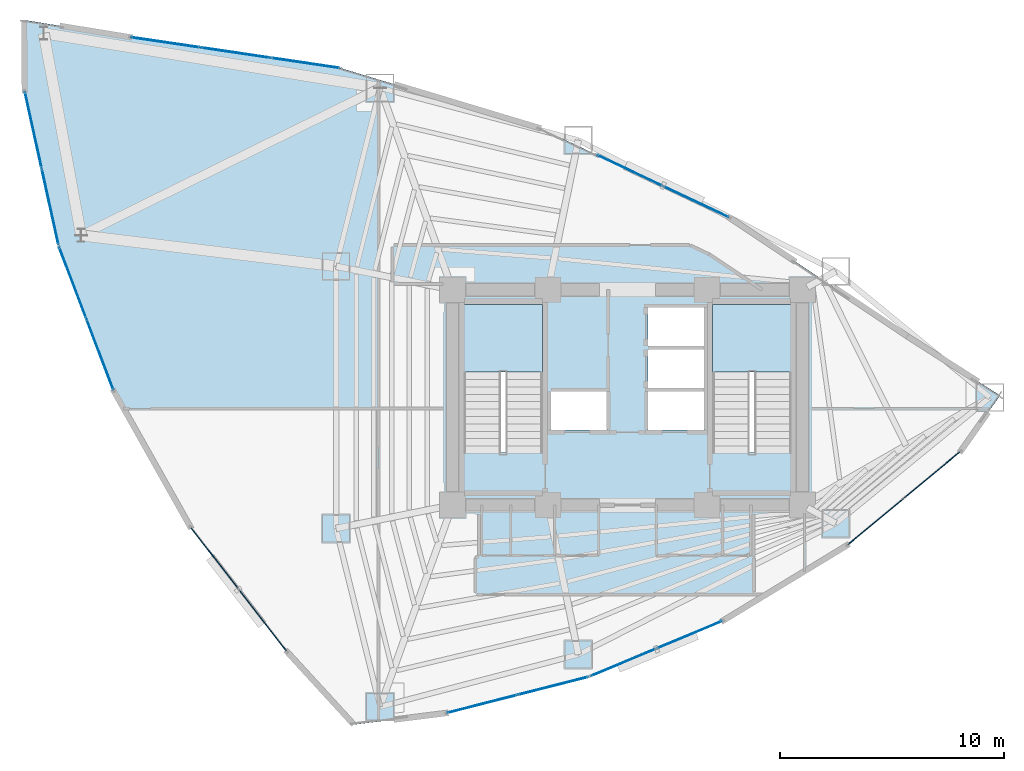
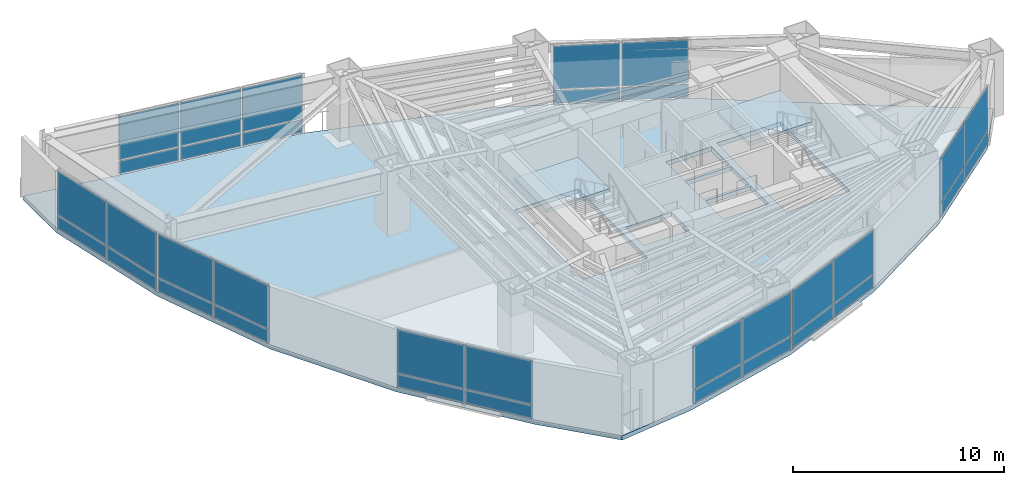
# One storey, part 18 of 23: 34 plates, 3 slabs, 10 elements without a shape of their own.
"""IFC4 building model written with IfcOpenShell, lengths in metres."""

from ifc_helpers import new_model, si_unit, direction, frame, origin, origin_2d, place, context, subcontext, project, spatial, polyline, rectangle, outline, extrude, material, layer, layer_set, type_object, element, aggregate, save


model = new_model("IFC4")

# Units and contexts
model_context = context("Model", 3, precision=1e-05, world=origin(), true_north=direction((0.0, 1.0)))
body_context = subcontext(model_context, "Body", "Model", "MODEL_VIEW")
ifc_project = project(units=[si_unit("LENGTHUNIT", "METRE"), si_unit("AREAUNIT", "SQUARE_METRE"), si_unit("VOLUMEUNIT", "CUBIC_METRE"), si_unit("PLANEANGLEUNIT", "RADIAN"), si_unit("MASSUNIT", "GRAM", prefix="KILO")], contexts=[model_context])

# Site, building, storey
site_placement = place(None, origin())
site = spatial("IfcSite", under=ifc_project, at=site_placement, CompositionType="ELEMENT")
building_placement = place(site_placement, origin())
building = spatial("IfcBuilding", under=site, at=building_placement, Name="Menara Vayukalpa", CompositionType="ELEMENT")
storey_placement = place(building_placement, frame((0.0, 0.0, 107.699951171875)))
storey = spatial("IfcBuildingStorey", under=building, at=storey_placement, Name="L26", CompositionType="ELEMENT", Elevation=107.699951171875)

# Curtain wall, plates
ifc_material_1 = material(Name="Anodised Terracotta Aluminium Alloy 6063-T6", Category="masonry")
ifc_layer_1 = layer(ifc_material_1, 0.179931640625)
ifc_layer_set_1 = layer_set([ifc_layer_1], Name="Anodised Terracotta Aluminium Alloy 6063-T6")
curtain_wall_type = type_object("IfcCurtainWallType", Name="CW-CW4", PredefinedType="USERDEFINED", material=ifc_layer_set_1)
curtain_wall_1_placement = place(storey_placement, origin())
curtain_wall_1 = element("IfcCurtainWall", 1, at=curtain_wall_1_placement, inside=storey, type_object=curtain_wall_type, Name="L26 Sky Bar Cantilever Glazed Curtain Wall CW4 05", ObjectType="UNITISED", PredefinedType="USERDEFINED")
ifc_material_2 = material(Name="Low-E Double Glazing", Category="glass")
ifc_layer_2 = layer(ifc_material_2, 0.0380859375)
ifc_layer_set_2 = layer_set([ifc_layer_2], Name="Low-E Double Glazing")
plate_type = type_object("IfcPlateType", Name="CWP-CW4", PredefinedType="CURTAIN_PANEL", material=ifc_layer_set_2)
plate_1_placement = place(storey_placement, frame((28.653076171875, 30.7216796875, 0.070068359375), z_axis=(0.0, 0.0, 1.0), x_axis=(-0.903839947796, 0.427870715016, 0.0)))
plate_1 = element("IfcPlate", 2, at=plate_1_placement, type_object=plate_type, Name="CW4 panel 1.1", PredefinedType="CURTAIN_PANEL", context=body_context, shape_type="SweptSolid", body=[
    extrude(rectangle(XDim=3.18701171875, YDim=0.0380859375, at=origin_2d()), origin(), (0.0, 0.0, 1.0), 0.7451171875),
])
plate_2_placement = place(storey_placement, frame((28.653076171875, 30.7216796875, 0.88525390625), z_axis=(0.0, 0.0, 1.0), x_axis=(-0.903839947796, 0.427870715016, 0.0)))
plate_2 = element("IfcPlate", 3, at=plate_2_placement, type_object=plate_type, Name="CW4 panel 1.2", PredefinedType="CURTAIN_PANEL", context=body_context, shape_type="SweptSolid", body=[
    extrude(rectangle(XDim=3.18701171875, YDim=0.0380859375, at=origin_2d()), origin(), (0.0, 0.0, 1.0), 2.514892578125),
])
plate_3_placement = place(storey_placement, frame((25.704833984375, 32.1171875, 0.070068359375), z_axis=(0.0, 0.0, 1.0), x_axis=(-0.903839947796, 0.427870715016, 0.0)))
plate_3 = element("IfcPlate", 4, at=plate_3_placement, type_object=plate_type, Name="CW4 panel 2.1", PredefinedType="CURTAIN_PANEL", context=body_context, shape_type="SweptSolid", body=[
    extrude(rectangle(XDim=3.18701171875, YDim=0.0380859375, at=origin_2d()), origin(), (0.0, 0.0, 1.0), 0.7451171875),
])
plate_4_placement = place(storey_placement, frame((25.704833984375, 32.1171875, 0.88525390625), z_axis=(0.0, 0.0, 1.0), x_axis=(-0.903839947796, 0.427870715016, 0.0)))
plate_4 = element("IfcPlate", 5, at=plate_4_placement, type_object=plate_type, Name="CW4 panel 2.2", PredefinedType="CURTAIN_PANEL", context=body_context, shape_type="SweptSolid", body=[
    extrude(rectangle(XDim=3.18701171875, YDim=0.0380859375, at=origin_2d()), origin(), (0.0, 0.0, 1.0), 2.514892578125),
])
aggregate(curtain_wall_1, [plate_1, plate_2, plate_3, plate_4])

curtain_wall_2_placement = place(storey_placement, origin())
curtain_wall_2 = element("IfcCurtainWall", 6, at=curtain_wall_2_placement, inside=storey, type_object=curtain_wall_type, Name="L26 Sky Bar Cantilever Glazed Curtain Wall CW4 07", ObjectType="UNITISED", PredefinedType="USERDEFINED")
plate_5_placement = place(storey_placement, frame((11.241455078125, 36.909423828125, 0.070068359375), z_axis=(0.0, 0.0, 1.0), x_axis=(-0.989365495659, 0.145450733924, 0.0)))
plate_5 = element("IfcPlate", 7, at=plate_5_placement, type_object=plate_type, Name="CW4 panel 1.1", PredefinedType="CURTAIN_PANEL", context=body_context, shape_type="SweptSolid", body=[
    extrude(rectangle(XDim=3.06005859375, YDim=0.0380859375, at=origin_2d()), origin(), (0.0, 0.0, 1.0), 0.7451171875),
])
plate_6_placement = place(storey_placement, frame((11.241455078125, 36.909423828125, 0.88525390625), z_axis=(0.0, 0.0, 1.0), x_axis=(-0.989365495659, 0.145450733924, 0.0)))
plate_6 = element("IfcPlate", 8, at=plate_6_placement, type_object=plate_type, Name="CW4 panel 1.2", PredefinedType="CURTAIN_PANEL", context=body_context, shape_type="SweptSolid", body=[
    extrude(rectangle(XDim=3.06005859375, YDim=0.0380859375, at=origin_2d()), origin(), (0.0, 0.0, 1.0), 2.514892578125),
])
plate_7_placement = place(storey_placement, frame((8.121337890625, 37.3681640625, 0.070068359375), z_axis=(0.0, 0.0, 1.0), x_axis=(-0.989365495659, 0.145450733924, 0.0)))
plate_7 = element("IfcPlate", 9, at=plate_7_placement, type_object=plate_type, Name="CW4 panel 2.1", PredefinedType="CURTAIN_PANEL", context=body_context, shape_type="SweptSolid", body=[
    extrude(rectangle(XDim=3.097412109375, YDim=0.0380859375, at=origin_2d()), origin(), (0.0, 0.0, 1.0), 0.7451171875),
])
plate_8_placement = place(storey_placement, frame((8.121337890625, 37.3681640625, 0.88525390625), z_axis=(0.0, 0.0, 1.0), x_axis=(-0.989365495659, 0.145450733924, 0.0)))
plate_8 = element("IfcPlate", 10, at=plate_8_placement, type_object=plate_type, Name="CW4 panel 2.2", PredefinedType="CURTAIN_PANEL", context=body_context, shape_type="SweptSolid", body=[
    extrude(rectangle(XDim=3.097412109375, YDim=0.0380859375, at=origin_2d()), origin(), (0.0, 0.0, 1.0), 2.514892578125),
])
plate_9_placement = place(storey_placement, frame((5.001220703125, 37.826904296875, 0.070068359375), z_axis=(0.0, 0.0, 1.0), x_axis=(-0.989365495659, 0.145450733924, 0.0)))
plate_9 = element("IfcPlate", 11, at=plate_9_placement, type_object=plate_type, Name="CW4 panel 3.1", PredefinedType="CURTAIN_PANEL", context=body_context, shape_type="SweptSolid", body=[
    extrude(rectangle(XDim=3.06005859375, YDim=0.0380859375, at=origin_2d()), origin(), (0.0, 0.0, 1.0), 0.7451171875),
])
plate_10_placement = place(storey_placement, frame((5.001220703125, 37.826904296875, 0.88525390625), z_axis=(0.0, 0.0, 1.0), x_axis=(-0.989365495659, 0.145450733924, 0.0)))
plate_10 = element("IfcPlate", 12, at=plate_10_placement, type_object=plate_type, Name="CW4 panel 3.2", PredefinedType="CURTAIN_PANEL", context=body_context, shape_type="SweptSolid", body=[
    extrude(rectangle(XDim=3.06005859375, YDim=0.0380859375, at=origin_2d()), origin(), (0.0, 0.0, 1.0), 2.514892578125),
])
aggregate(curtain_wall_2, [plate_5, plate_6, plate_7, plate_8, plate_9, plate_10])

curtain_wall_3_placement = place(storey_placement, origin())
curtain_wall_3 = element("IfcCurtainWall", 13, at=curtain_wall_3_placement, inside=storey, type_object=curtain_wall_type, Name="L26 Sky Bar Cantilever Glazed Curtain Wall CW4 10", ObjectType="UNITISED", PredefinedType="USERDEFINED")
plate_11_placement = place(storey_placement, frame((-0.8916015625, 33.92529296875, 0.070068359375), z_axis=(0.0, 0.0, 1.0), x_axis=(0.214510159112, -0.976721757533, 0.0)))
plate_11 = element("IfcPlate", 14, at=plate_11_placement, type_object=plate_type, Name="CW4 panel 1.1", PredefinedType="CURTAIN_PANEL", context=body_context, shape_type="SweptSolid", body=[
    extrude(rectangle(XDim=3.427734375, YDim=0.0380859375, at=origin_2d()), origin(), (0.0, 0.0, 1.0), 0.7451171875),
])
plate_12_placement = place(storey_placement, frame((-0.8916015625, 33.92529296875, 0.88525390625), z_axis=(0.0, 0.0, 1.0), x_axis=(0.214510159112, -0.976721757533, 0.0)))
plate_12 = element("IfcPlate", 15, at=plate_12_placement, type_object=plate_type, Name="CW4 panel 1.2", PredefinedType="CURTAIN_PANEL", context=body_context, shape_type="SweptSolid", body=[
    extrude(rectangle(XDim=3.427734375, YDim=0.0380859375, at=origin_2d()), origin(), (0.0, 0.0, 1.0), 2.514892578125),
])
plate_13_placement = place(storey_placement, frame((-0.14013671875, 30.50439453125, 0.070068359375), z_axis=(0.0, 0.0, 1.0), x_axis=(0.214510159112, -0.976721757533, 0.0)))
plate_13 = element("IfcPlate", 16, at=plate_13_placement, type_object=plate_type, Name="CW4 panel 2.1", PredefinedType="CURTAIN_PANEL", context=body_context, shape_type="SweptSolid", body=[
    extrude(rectangle(XDim=3.427734375, YDim=0.0380859375, at=origin_2d()), origin(), (0.0, 0.0, 1.0), 0.7451171875),
])
plate_14_placement = place(storey_placement, frame((-0.14013671875, 30.50439453125, 0.88525390625), z_axis=(0.0, 0.0, 1.0), x_axis=(0.214510159112, -0.976721757533, 0.0)))
plate_14 = element("IfcPlate", 17, at=plate_14_placement, type_object=plate_type, Name="CW4 panel 2.2", PredefinedType="CURTAIN_PANEL", context=body_context, shape_type="SweptSolid", body=[
    extrude(rectangle(XDim=3.427734375, YDim=0.0380859375, at=origin_2d()), origin(), (0.0, 0.0, 1.0), 2.514892578125),
])
aggregate(curtain_wall_3, [plate_11, plate_12, plate_13, plate_14])

curtain_wall_4_placement = place(storey_placement, origin())
curtain_wall_4 = element("IfcCurtainWall", 18, at=curtain_wall_4_placement, inside=storey, type_object=curtain_wall_type, Name="L26 Sky Bar Cantilever Glazed Curtain Wall CW4 11", ObjectType="UNITISED", PredefinedType="USERDEFINED")
plate_15_placement = place(storey_placement, frame((0.864501953125, 27.120361328125, 0.070068359375), z_axis=(0.0, 0.0, 1.0), x_axis=(0.354742140657, -0.934964177732, 0.0)))
plate_15 = element("IfcPlate", 19, at=plate_15_placement, type_object=plate_type, Name="CW4 panel 1.1", PredefinedType="CURTAIN_PANEL", context=body_context, shape_type="SweptSolid", body=[
    extrude(rectangle(XDim=3.35107421875, YDim=0.0380859375, at=origin_2d()), origin(), (0.0, 0.0, 1.0), 0.7451171875),
])
plate_16_placement = place(storey_placement, frame((0.864501953125, 27.120361328125, 0.88525390625), z_axis=(0.0, 0.0, 1.0), x_axis=(0.354742140657, -0.934964177732, 0.0)))
plate_16 = element("IfcPlate", 20, at=plate_16_placement, type_object=plate_type, Name="CW4 panel 1.2", PredefinedType="CURTAIN_PANEL", context=body_context, shape_type="SweptSolid", body=[
    extrude(rectangle(XDim=3.35107421875, YDim=0.0380859375, at=origin_2d()), origin(), (0.0, 0.0, 1.0), 2.514892578125),
])
plate_17_placement = place(storey_placement, frame((2.079833984375, 23.917236328125, 0.070068359375), z_axis=(0.0, 0.0, 1.0), x_axis=(0.354742140657, -0.934964177732, 0.0)))
plate_17 = element("IfcPlate", 21, at=plate_17_placement, type_object=plate_type, Name="CW4 panel 2.1", PredefinedType="CURTAIN_PANEL", context=body_context, shape_type="SweptSolid", body=[
    extrude(rectangle(XDim=3.35107421875, YDim=0.0380859375, at=origin_2d()), origin(), (0.0, 0.0, 1.0), 0.7451171875),
])
plate_18_placement = place(storey_placement, frame((2.079833984375, 23.917236328125, 0.88525390625), z_axis=(0.0, 0.0, 1.0), x_axis=(0.354742140657, -0.934964177732, 0.0)))
plate_18 = element("IfcPlate", 22, at=plate_18_placement, type_object=plate_type, Name="CW4 panel 2.2", PredefinedType="CURTAIN_PANEL", context=body_context, shape_type="SweptSolid", body=[
    extrude(rectangle(XDim=3.35107421875, YDim=0.0380859375, at=origin_2d()), origin(), (0.0, 0.0, 1.0), 2.514892578125),
])
aggregate(curtain_wall_4, [plate_15, plate_16, plate_17, plate_18])

curtain_wall_5_placement = place(storey_placement, origin())
curtain_wall_5 = element("IfcCurtainWall", 23, at=curtain_wall_5_placement, inside=storey, type_object=curtain_wall_type, Name="L26 Sky Bar Cantilever Glazed Curtain Wall CW4 13", ObjectType="UNITISED", PredefinedType="USERDEFINED")
plate_19_placement = place(storey_placement, frame((7.19189453125, 14.82861328125, 0.070068359375), z_axis=(0.0, 0.0, 1.0), x_axis=(0.612188860273, -0.790711577857, 0.0)))
plate_19 = element("IfcPlate", 24, at=plate_19_placement, type_object=plate_type, Name="CW4 panel 1.1", PredefinedType="CURTAIN_PANEL", context=body_context, shape_type="SweptSolid", body=[
    extrude(rectangle(XDim=3.427734375, YDim=0.0380859375, at=origin_2d()), origin(), (0.0, 0.0, 1.0), 0.7451171875),
])
plate_20_placement = place(storey_placement, frame((7.19189453125, 14.82861328125, 0.88525390625), z_axis=(0.0, 0.0, 1.0), x_axis=(0.612188860273, -0.790711577857, 0.0)))
plate_20 = element("IfcPlate", 25, at=plate_20_placement, type_object=plate_type, Name="CW4 panel 1.2", PredefinedType="CURTAIN_PANEL", context=body_context, shape_type="SweptSolid", body=[
    extrude(rectangle(XDim=3.427734375, YDim=0.0380859375, at=origin_2d()), origin(), (0.0, 0.0, 1.0), 2.514892578125),
])
plate_21_placement = place(storey_placement, frame((9.336181640625, 12.05908203125, 0.070068359375), z_axis=(0.0, 0.0, 1.0), x_axis=(0.612188860273, -0.790711577857, 0.0)))
plate_21 = element("IfcPlate", 26, at=plate_21_placement, type_object=plate_type, Name="CW4 panel 2.1", PredefinedType="CURTAIN_PANEL", context=body_context, shape_type="SweptSolid", body=[
    extrude(rectangle(XDim=3.427734375, YDim=0.0380859375, at=origin_2d()), origin(), (0.0, 0.0, 1.0), 0.7451171875),
])
plate_22_placement = place(storey_placement, frame((9.336181640625, 12.05908203125, 0.88525390625), z_axis=(0.0, 0.0, 1.0), x_axis=(0.612188860273, -0.790711577857, 0.0)))
plate_22 = element("IfcPlate", 27, at=plate_22_placement, type_object=plate_type, Name="CW4 panel 2.2", PredefinedType="CURTAIN_PANEL", context=body_context, shape_type="SweptSolid", body=[
    extrude(rectangle(XDim=3.427734375, YDim=0.0380859375, at=origin_2d()), origin(), (0.0, 0.0, 1.0), 2.514892578125),
])
aggregate(curtain_wall_5, [plate_19, plate_20, plate_21, plate_22])

curtain_wall_6_placement = place(storey_placement, origin())
curtain_wall_6 = element("IfcCurtainWall", 28, at=curtain_wall_6_placement, inside=storey, type_object=curtain_wall_type, Name="L26 Sky Bar Cantilever Glazed Curtain Wall CW4 16", ObjectType="UNITISED", PredefinedType="USERDEFINED")
plate_23_placement = place(storey_placement, frame((19.1279296875, 8.33349609375, 0.070068359375), z_axis=(0.0, 0.0, 1.0), x_axis=(0.968982181476, 0.247130597017, 0.0)))
plate_23 = element("IfcPlate", 29, at=plate_23_placement, type_object=plate_type, Name="CW4 panel 1.1", PredefinedType="CURTAIN_PANEL", context=body_context, shape_type="SweptSolid", body=[
    extrude(rectangle(XDim=3.1884765625, YDim=0.0380859375, at=origin_2d()), origin(), (0.0, 0.0, 1.0), 0.7451171875),
])
plate_24_placement = place(storey_placement, frame((19.1279296875, 8.33349609375, 0.88525390625), z_axis=(0.0, 0.0, 1.0), x_axis=(0.968982181476, 0.247130597017, 0.0)))
plate_24 = element("IfcPlate", 30, at=plate_24_placement, type_object=plate_type, Name="CW4 panel 1.2", PredefinedType="CURTAIN_PANEL", context=body_context, shape_type="SweptSolid", body=[
    extrude(rectangle(XDim=3.1884765625, YDim=0.0380859375, at=origin_2d()), origin(), (0.0, 0.0, 1.0), 2.514892578125),
])
plate_25_placement = place(storey_placement, frame((22.2900390625, 9.139892578125, 0.070068359375), z_axis=(0.0, 0.0, 1.0), x_axis=(0.968982181476, 0.247130597017, 0.0)))
plate_25 = element("IfcPlate", 31, at=plate_25_placement, type_object=plate_type, Name="CW4 panel 2.1", PredefinedType="CURTAIN_PANEL", context=body_context, shape_type="SweptSolid", body=[
    extrude(rectangle(XDim=3.1884765625, YDim=0.0380859375, at=origin_2d()), origin(), (0.0, 0.0, 1.0), 0.7451171875),
])
plate_26_placement = place(storey_placement, frame((22.2900390625, 9.139892578125, 0.88525390625), z_axis=(0.0, 0.0, 1.0), x_axis=(0.968982181476, 0.247130597017, 0.0)))
plate_26 = element("IfcPlate", 32, at=plate_26_placement, type_object=plate_type, Name="CW4 panel 2.2", PredefinedType="CURTAIN_PANEL", context=body_context, shape_type="SweptSolid", body=[
    extrude(rectangle(XDim=3.1884765625, YDim=0.0380859375, at=origin_2d()), origin(), (0.0, 0.0, 1.0), 2.514892578125),
])
aggregate(curtain_wall_6, [plate_23, plate_24, plate_25, plate_26])

curtain_wall_7_placement = place(storey_placement, origin())
curtain_wall_7 = element("IfcCurtainWall", 33, at=curtain_wall_7_placement, inside=storey, type_object=curtain_wall_type, Name="L26 Sky Bar Cantilever Glazed Curtain Wall CW4 17", ObjectType="UNITISED", PredefinedType="USERDEFINED")
plate_27_placement = place(storey_placement, frame((25.414306640625, 10.1826171875, 0.070068359375), z_axis=(0.0, 0.0, 1.0), x_axis=(0.922543300632, 0.38589358437, 0.0)))
plate_27 = element("IfcPlate", 34, at=plate_27_placement, type_object=plate_type, Name="CW4 panel 1.1", PredefinedType="CURTAIN_PANEL", context=body_context, shape_type="SweptSolid", body=[
    extrude(rectangle(XDim=3.116943359375, YDim=0.0380859375, at=origin_2d()), origin(), (0.0, 0.0, 1.0), 0.7451171875),
])
plate_28_placement = place(storey_placement, frame((25.414306640625, 10.1826171875, 0.88525390625), z_axis=(0.0, 0.0, 1.0), x_axis=(0.922543300632, 0.38589358437, 0.0)))
plate_28 = element("IfcPlate", 35, at=plate_28_placement, type_object=plate_type, Name="CW4 panel 1.2", PredefinedType="CURTAIN_PANEL", context=body_context, shape_type="SweptSolid", body=[
    extrude(rectangle(XDim=3.116943359375, YDim=0.0380859375, at=origin_2d()), origin(), (0.0, 0.0, 1.0), 2.514892578125),
])
plate_29_placement = place(storey_placement, frame((28.35888671875, 11.41455078125, 0.070068359375), z_axis=(0.0, 0.0, 1.0), x_axis=(0.922543300632, 0.38589358437, 0.0)))
plate_29 = element("IfcPlate", 36, at=plate_29_placement, type_object=plate_type, Name="CW4 panel 2.1", PredefinedType="CURTAIN_PANEL", context=body_context, shape_type="SweptSolid", body=[
    extrude(rectangle(XDim=3.116943359375, YDim=0.0380859375, at=origin_2d()), origin(), (0.0, 0.0, 1.0), 0.7451171875),
])
plate_30_placement = place(storey_placement, frame((28.35888671875, 11.41455078125, 0.88525390625), z_axis=(0.0, 0.0, 1.0), x_axis=(0.922543300632, 0.38589358437, 0.0)))
plate_30 = element("IfcPlate", 37, at=plate_30_placement, type_object=plate_type, Name="CW4 panel 2.2", PredefinedType="CURTAIN_PANEL", context=body_context, shape_type="SweptSolid", body=[
    extrude(rectangle(XDim=3.116943359375, YDim=0.0380859375, at=origin_2d()), origin(), (0.0, 0.0, 1.0), 2.514892578125),
])
aggregate(curtain_wall_7, [plate_27, plate_28, plate_29, plate_30])

curtain_wall_8_placement = place(storey_placement, origin())
curtain_wall_8 = element("IfcCurtainWall", 38, at=curtain_wall_8_placement, inside=storey, type_object=curtain_wall_type, Name="L26 Sky Bar Cantilever Glazed Curtain Wall CW4 19", ObjectType="UNITISED", PredefinedType="USERDEFINED")
plate_31_placement = place(storey_placement, frame((36.6708984375, 16.463623046875, 0.070068359375), z_axis=(0.0, 0.0, 1.0), x_axis=(0.769749972797, 0.638345501574, 0.0)))
plate_31 = element("IfcPlate", 39, at=plate_31_placement, type_object=plate_type, Name="CW4 panel 1.1", PredefinedType="CURTAIN_PANEL", context=body_context, shape_type="SweptSolid", body=[
    extrude(rectangle(XDim=3.1884765625, YDim=0.0380859375, at=origin_2d()), origin(), (0.0, 0.0, 1.0), 0.7451171875),
])
plate_32_placement = place(storey_placement, frame((36.6708984375, 16.463623046875, 0.88525390625), z_axis=(0.0, 0.0, 1.0), x_axis=(0.769749972797, 0.638345501574, 0.0)))
plate_32 = element("IfcPlate", 40, at=plate_32_placement, type_object=plate_type, Name="CW4 panel 1.2", PredefinedType="CURTAIN_PANEL", context=body_context, shape_type="SweptSolid", body=[
    extrude(rectangle(XDim=3.1884765625, YDim=0.0380859375, at=origin_2d()), origin(), (0.0, 0.0, 1.0), 2.514892578125),
])
plate_33_placement = place(storey_placement, frame((39.182861328125, 18.546875, 0.070068359375), z_axis=(0.0, 0.0, 1.0), x_axis=(0.769749972797, 0.638345501574, 0.0)))
plate_33 = element("IfcPlate", 41, at=plate_33_placement, type_object=plate_type, Name="CW4 panel 2.1", PredefinedType="CURTAIN_PANEL", context=body_context, shape_type="SweptSolid", body=[
    extrude(rectangle(XDim=3.1884765625, YDim=0.0380859375, at=origin_2d()), origin(), (0.0, 0.0, 1.0), 0.7451171875),
])
plate_34_placement = place(storey_placement, frame((39.182861328125, 18.546875, 0.88525390625), z_axis=(0.0, 0.0, 1.0), x_axis=(0.769749972797, 0.638345501574, 0.0)))
plate_34 = element("IfcPlate", 42, at=plate_34_placement, type_object=plate_type, Name="CW4 panel 2.2", PredefinedType="CURTAIN_PANEL", context=body_context, shape_type="SweptSolid", body=[
    extrude(rectangle(XDim=3.1884765625, YDim=0.0380859375, at=origin_2d()), origin(), (0.0, 0.0, 1.0), 2.514892578125),
])
aggregate(curtain_wall_8, [plate_31, plate_32, plate_33, plate_34])

# Slab
ifc_material_3 = material(Name="Concrete C40/50", Category="concrete")
ifc_layer_3 = layer(ifc_material_3, 0.25)
ifc_layer_set_3 = layer_set([ifc_layer_3], Name="Concrete C40/50")
slab_type_1 = type_object("IfcSlabType", Name="SLB-FL250", PredefinedType="FLOOR", material=ifc_layer_set_3)
slab_1_placement = place(storey_placement, frame((0.0, 0.0, -0.25)))
element("IfcSlab", 43, at=slab_1_placement, inside=storey, type_object=slab_type_1, Name="L26 Sky Bar Structural Floor Slab", PredefinedType="FLOOR", context=body_context, shape_type="SweptSolid", body=[
    extrude(outline(polyline([(40.4677734375, 19.6123046875), (42.214111328125, 22.083984375), (38.076904296875, 24.7236328125), (30.1611328125, 30.0078125), (21.745361328125, 33.99169921875), (12.829345703125, 36.676025390625), (3.4130859375, 38.060302734375), (-1.298583984375, 38.8251953125), (-1.275390625, 35.672607421875), (0.243408203125, 28.757080078125), (2.70068359375, 22.280517578125), (6.0966796875, 16.2431640625), (10.43115234375, 10.64453125), (13.396240234375, 7.407958984375), (17.510498046875, 7.9208984375), (23.907470703125, 9.552490234375), (29.865966796875, 12.044921875), (35.385986328125, 15.398193359375), (40.4677734375, 19.6123046875)]), holes=[polyline([(21.800048828125, 19.550048828125), (21.800048828125, 26.14990234375), (18.300048828125, 26.14990234375), (18.300048828125, 19.550048828125), (21.800048828125, 19.550048828125)]), polyline([(32.89990234375, 19.550048828125), (32.89990234375, 26.14990234375), (29.39990234375, 26.14990234375), (29.39990234375, 19.550048828125), (32.89990234375, 19.550048828125)]), polyline([(22.179931640625, 20.550048828125), (24.679931640625, 20.550048828125), (24.679931640625, 22.27001953125), (22.179931640625, 22.27001953125), (22.179931640625, 20.550048828125)]), polyline([(26.52001953125, 20.550048828125), (29.02001953125, 20.550048828125), (29.02001953125, 22.27001953125), (26.52001953125, 22.27001953125), (26.52001953125, 20.550048828125)]), polyline([(26.52001953125, 24.2900390625), (29.02001953125, 24.2900390625), (29.02001953125, 26.010009765625), (26.52001953125, 26.010009765625), (26.52001953125, 24.2900390625)]), polyline([(26.52001953125, 22.419921875), (29.02001953125, 22.419921875), (29.02001953125, 24.139892578125), (26.52001953125, 24.139892578125), (26.52001953125, 22.419921875)])]), origin(), (0.0, 0.0, 1.0), 0.25),
])

# Stair, slab
ifc_material_4 = material(Name="Precast Concrete C40/50", Category="concrete")
stair_type = type_object("IfcStairType", Name="STR-T04", PredefinedType="DOUBLE_RETURN_STAIR", material=ifc_material_4)
stair_1_placement = place(storey_placement, origin())
stair_1 = element("IfcStair", 44, at=stair_1_placement, inside=storey, type_object=stair_type, Name="L26 Core Exit Stair ST-1", PredefinedType="DOUBLE_RETURN_STAIR")
ifc_material_5 = material(Name="Precast Concrete C40/50", Category="concrete")
ifc_layer_4 = layer(ifc_material_5, 0.199951171875)
ifc_layer_set_4 = layer_set([ifc_layer_4], Name="Precast Concrete C40/50")
slab_type_2 = type_object("IfcSlabType", Name="SLB-LND200", PredefinedType="LANDING", material=ifc_layer_set_4)
slab_2_placement = place(storey_placement, frame((0.0, 0.0, 1.66015625)))
slab_2 = element("IfcSlab", 45, at=slab_2_placement, type_object=slab_type_2, Name="ST-1 landing 1", PredefinedType="LANDING", context=body_context, shape_type="SweptSolid", body=[
    extrude(outline(polyline([(21.800048828125, 23.1298828125), (21.800048828125, 26.14990234375), (18.300048828125, 26.14990234375), (18.300048828125, 23.1298828125), (21.800048828125, 23.1298828125)])), origin(), (0.0, 0.0, 1.0), 0.199951171875),
])
aggregate(stair_1, [slab_2])

stair_2_placement = place(storey_placement, origin())
stair_2 = element("IfcStair", 46, at=stair_2_placement, inside=storey, type_object=stair_type, Name="L26 Core Exit Stair ST-2", PredefinedType="DOUBLE_RETURN_STAIR")
slab_3_placement = place(storey_placement, frame((0.0, 0.0, 1.66015625)))
slab_3 = element("IfcSlab", 47, at=slab_3_placement, type_object=slab_type_2, Name="ST-2 landing 1", PredefinedType="LANDING", context=body_context, shape_type="SweptSolid", body=[
    extrude(outline(polyline([(32.89990234375, 23.1298828125), (32.89990234375, 26.14990234375), (29.39990234375, 26.14990234375), (29.39990234375, 23.1298828125), (32.89990234375, 23.1298828125)])), origin(), (0.0, 0.0, 1.0), 0.199951171875),
])
aggregate(stair_2, [slab_3])

save(model, "model.ifc")
